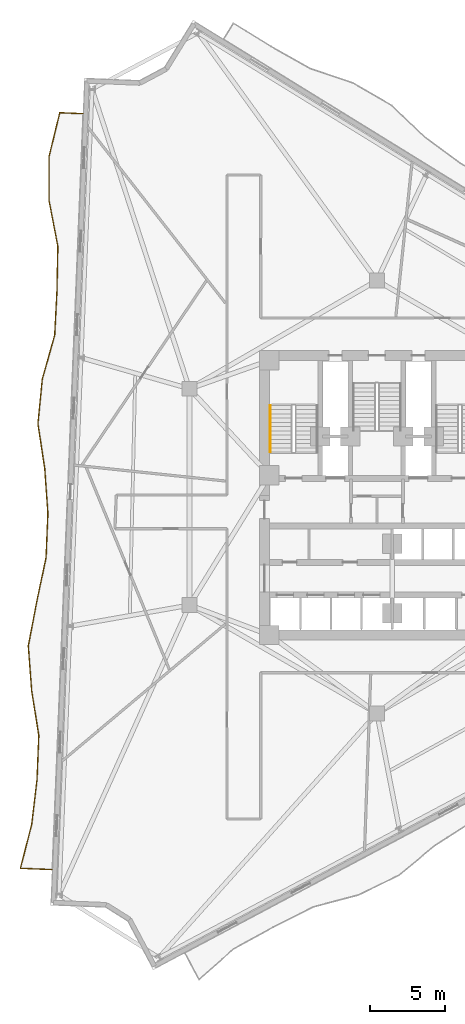
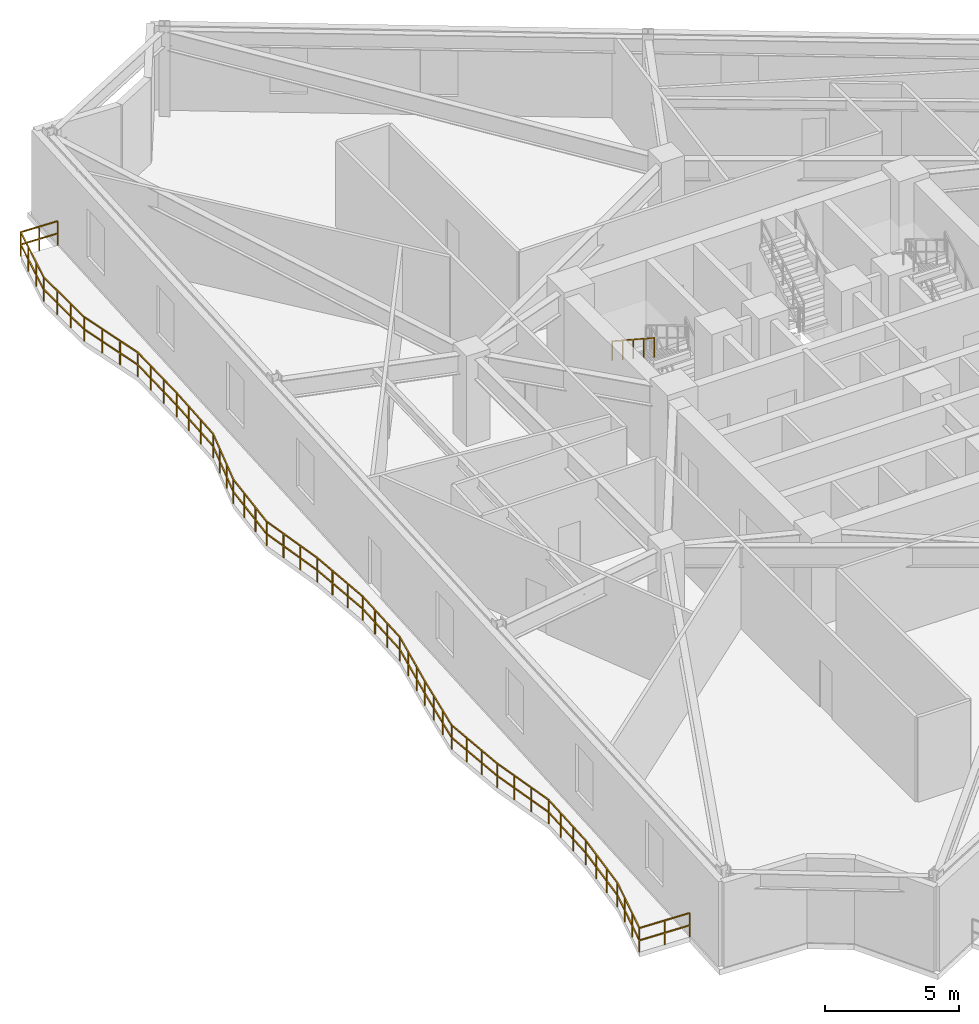
# One storey, part 10 of 12: 2 railings.
"""IFC4 building model written with IfcOpenShell, lengths in metres."""

from ifc_helpers import new_model, si_unit, direction, frame, origin, origin_2d, place, context, subcontext, project, spatial, rectangle, extrude, material, type_object, element, save


model = new_model("IFC4")

# Units and contexts
model_context = context("Model", 3, precision=1e-05, world=origin(), true_north=direction((0.0, 1.0)))
body_context = subcontext(model_context, "Body", "Model", "MODEL_VIEW")
ifc_project = project(units=[si_unit("LENGTHUNIT", "METRE"), si_unit("AREAUNIT", "SQUARE_METRE"), si_unit("VOLUMEUNIT", "CUBIC_METRE"), si_unit("PLANEANGLEUNIT", "RADIAN"), si_unit("MASSUNIT", "GRAM", prefix="KILO")], contexts=[model_context])

# Site, building, storey
site_placement = place(None, origin())
site = spatial("IfcSite", under=ifc_project, at=site_placement, CompositionType="ELEMENT")
building_placement = place(site_placement, origin())
building = spatial("IfcBuilding", under=site, at=building_placement, Name="Apsidion Concourse Tower", CompositionType="ELEMENT")
storey_placement = place(building_placement, frame((0.0, 0.0, 173.699951171875)))
storey = spatial("IfcBuildingStorey", under=building, at=storey_placement, Name="L40", CompositionType="ELEMENT", Elevation=173.699951171875)

# Railings
ifc_material = material(Name="Brushed stainless steel 316", Category="steel")
railing_type_1 = type_object("IfcRailingType", Name="RL-BAL-1120", PredefinedType="BALUSTRADE", material=ifc_material)
railing_1_placement = place(storey_placement, frame((-21.777587890625, -24.97802734375, 0.0)))
element("IfcRailing", 1, at=railing_1_placement, inside=storey, type_object=railing_type_1, Name="L40 Face 1 Rippling Balcony Balustrade", PredefinedType="BALUSTRADE", context=body_context, shape_type="SweptSolid", body=[
    extrude(rectangle(XDim=0.048095703125, YDim=0.048095703125, at=origin_2d()), frame((0.0, 0.0, 1.09619140625), z_axis=(-0.999167286138, 0.040801155761, 0.0), x_axis=(-0.040801155761, -0.999167286138, 0.0)), (0.0, 0.0, 1.0), 2.1181640625),
    extrude(rectangle(XDim=0.048095703125, YDim=0.048095703125, at=origin_2d()), frame((0.0, 0.0, 0.5361328125), z_axis=(-0.999167286138, 0.040801155761, 0.0), x_axis=(-0.040801155761, -0.999167286138, 0.0)), (0.0, 0.0, 1.0), 2.1181640625),
    extrude(rectangle(XDim=0.048095703125, YDim=0.048095703125, at=origin_2d()), frame((-2.116455078125, 0.08642578125, 1.09619140625), z_axis=(0.248839406268, 0.968544758846, 0.0), x_axis=(-0.968544758846, 0.248839406268, 0.0)), (0.0, 0.0, 1.0), 3.05029296875),
    extrude(rectangle(XDim=0.048095703125, YDim=0.048095703125, at=origin_2d()), frame((-2.116455078125, 0.08642578125, 0.5361328125), z_axis=(0.248839406268, 0.968544758846, 0.0), x_axis=(-0.968544758846, 0.248839406268, 0.0)), (0.0, 0.0, 1.0), 3.05029296875),
    extrude(rectangle(XDim=0.048095703125, YDim=0.048095703125, at=origin_2d()), frame((-1.357421875, 3.040771484375, 1.09619140625), z_axis=(0.117664989852, 0.993053347088, 0.0), x_axis=(-0.993053347088, 0.117664989852, 0.0)), (0.0, 0.0, 1.0), 2.991943359375),
    extrude(rectangle(XDim=0.048095703125, YDim=0.048095703125, at=origin_2d()), frame((-1.357421875, 3.040771484375, 0.5361328125), z_axis=(0.117664989852, 0.993053347088, 0.0), x_axis=(-0.993053347088, 0.117664989852, 0.0)), (0.0, 0.0, 1.0), 2.991943359375),
    extrude(rectangle(XDim=0.048095703125, YDim=0.048095703125, at=origin_2d()), frame((-1.00537109375, 6.011962890625, 1.09619140625), z_axis=(0.040840733039, 0.999165669209, 0.0), x_axis=(-0.999165669209, 0.040840733039, 0.0)), (0.0, 0.0, 1.0), 2.98291015625),
    extrude(rectangle(XDim=0.048095703125, YDim=0.048095703125, at=origin_2d()), frame((-1.00537109375, 6.011962890625, 0.5361328125), z_axis=(0.040840733039, 0.999165669209, 0.0), x_axis=(-0.999165669209, 0.040840733039, 0.0)), (0.0, 0.0, 1.0), 2.98291015625),
    extrude(rectangle(XDim=0.048095703125, YDim=0.048095703125, at=origin_2d()), frame((-0.883544921875, 8.992431640625, 1.09619140625), z_axis=(-0.157029674408, 0.987593884831, 0.0), x_axis=(-0.987593884831, -0.157029674408, 0.0)), (0.0, 0.0, 1.0), 3.042724609375),
    extrude(rectangle(XDim=0.048095703125, YDim=0.048095703125, at=origin_2d()), frame((-0.883544921875, 8.992431640625, 0.5361328125), z_axis=(-0.157029674408, 0.987593884831, 0.0), x_axis=(-0.987593884831, -0.157029674408, 0.0)), (0.0, 0.0, 1.0), 3.042724609375),
    extrude(rectangle(XDim=0.048095703125, YDim=0.048095703125, at=origin_2d()), frame((-1.361328125, 11.997314453125, 1.09619140625), z_axis=(-0.075279021939, 0.99716250875, 0.0), x_axis=(-0.99716250875, -0.075279021939, 0.0)), (0.0, 0.0, 1.0), 3.003173828125),
    extrude(rectangle(XDim=0.048095703125, YDim=0.048095703125, at=origin_2d()), frame((-1.361328125, 11.997314453125, 0.5361328125), z_axis=(-0.075279021939, 0.99716250875, 0.0), x_axis=(-0.99716250875, -0.075279021939, 0.0)), (0.0, 0.0, 1.0), 3.003173828125),
    extrude(rectangle(XDim=0.048095703125, YDim=0.048095703125, at=origin_2d()), frame((-1.58740234375, 14.991943359375, 1.09619140625), z_axis=(0.187484082484, 0.982267641132, 0.0), x_axis=(-0.982267641132, 0.187484082484, 0.0)), (0.0, 0.0, 1.0), 3.015869140625),
    extrude(rectangle(XDim=0.048095703125, YDim=0.048095703125, at=origin_2d()), frame((-1.58740234375, 14.991943359375, 0.5361328125), z_axis=(0.187484082484, 0.982267641132, 0.0), x_axis=(-0.982267641132, 0.187484082484, 0.0)), (0.0, 0.0, 1.0), 3.015869140625),
    extrude(rectangle(XDim=0.048095703125, YDim=0.048095703125, at=origin_2d()), frame((-1.02197265625, 17.954345703125, 1.09619140625), z_axis=(0.206673374664, 0.978409993921, 0.0), x_axis=(-0.978409993921, 0.206673374664, 0.0)), (0.0, 0.0, 1.0), 3.025390625),
    extrude(rectangle(XDim=0.048095703125, YDim=0.048095703125, at=origin_2d()), frame((-1.02197265625, 17.954345703125, 0.5361328125), z_axis=(0.206673374664, 0.978409993921, 0.0), x_axis=(-0.978409993921, 0.206673374664, 0.0)), (0.0, 0.0, 1.0), 3.025390625),
    extrude(rectangle(XDim=0.048095703125, YDim=0.048095703125, at=origin_2d()), frame((-0.396728515625, 20.914306640625, 1.09619140625), z_axis=(0.040840733039, 0.999165669209, 0.0), x_axis=(-0.999165669209, 0.040840733039, 0.0)), (0.0, 0.0, 1.0), 2.98291015625),
    extrude(rectangle(XDim=0.048095703125, YDim=0.048095703125, at=origin_2d()), frame((-0.396728515625, 20.914306640625, 0.5361328125), z_axis=(0.040840733039, 0.999165669209, 0.0), x_axis=(-0.999165669209, 0.040840733039, 0.0)), (0.0, 0.0, 1.0), 2.98291015625),
    extrude(rectangle(XDim=0.048095703125, YDim=0.048095703125, at=origin_2d()), frame((-0.27490234375, 23.894775390625, 1.09619140625), z_axis=(-0.070923361172, 0.997481767673, 0.0), x_axis=(-0.997481767673, -0.070923361172, 0.0)), (0.0, 0.0, 1.0), 3.001708984375),
    extrude(rectangle(XDim=0.048095703125, YDim=0.048095703125, at=origin_2d()), frame((-0.27490234375, 23.894775390625, 0.5361328125), z_axis=(-0.070923361172, 0.997481767673, 0.0), x_axis=(-0.997481767673, -0.070923361172, 0.0)), (0.0, 0.0, 1.0), 3.001708984375),
    extrude(rectangle(XDim=0.048095703125, YDim=0.048095703125, at=origin_2d()), frame((-0.48779296875, 26.888916015625, 1.09619140625), z_axis=(-0.149538777616, 0.988755861671, 0.0), x_axis=(-0.988755861671, -0.149538777616, 0.0)), (0.0, 0.0, 1.0), 3.038330078125),
    extrude(rectangle(XDim=0.048095703125, YDim=0.048095703125, at=origin_2d()), frame((-0.48779296875, 26.888916015625, 0.5361328125), z_axis=(-0.149538777616, 0.988755861671, 0.0), x_axis=(-0.988755861671, -0.149538777616, 0.0)), (0.0, 0.0, 1.0), 3.038330078125),
    extrude(rectangle(XDim=0.048095703125, YDim=0.048095703125, at=origin_2d()), frame((-0.942138671875, 29.89306640625, 1.09619140625), z_axis=(0.097812644821, 0.995204846508, 0.0), x_axis=(-0.995204846508, 0.097812644821, 0.0)), (0.0, 0.0, 1.0), 2.98779296875),
    extrude(rectangle(XDim=0.048095703125, YDim=0.048095703125, at=origin_2d()), frame((-0.942138671875, 29.89306640625, 0.5361328125), z_axis=(0.097812644821, 0.995204846508, 0.0), x_axis=(-0.995204846508, 0.097812644821, 0.0)), (0.0, 0.0, 1.0), 2.98779296875),
    extrude(rectangle(XDim=0.048095703125, YDim=0.048095703125, at=origin_2d()), frame((-0.64990234375, 32.866455078125, 1.09619140625), z_axis=(0.27087008579, 0.962615913345, 0.0), x_axis=(-0.962615913345, 0.27087008579, 0.0)), (0.0, 0.0, 1.0), 3.06640625),
    extrude(rectangle(XDim=0.048095703125, YDim=0.048095703125, at=origin_2d()), frame((-0.64990234375, 32.866455078125, 0.5361328125), z_axis=(0.27087008579, 0.962615913345, 0.0), x_axis=(-0.962615913345, 0.27087008579, 0.0)), (0.0, 0.0, 1.0), 3.06640625),
    extrude(rectangle(XDim=0.048095703125, YDim=0.048095703125, at=origin_2d()), frame((0.1806640625, 35.818115234375, 1.09619140625), z_axis=(0.051313119647, 0.998682614123, 0.0), x_axis=(-0.998682614123, 0.051313119647, 0.0)), (0.0, 0.0, 1.0), 2.983154296875),
    extrude(rectangle(XDim=0.048095703125, YDim=0.048095703125, at=origin_2d()), frame((0.1806640625, 35.818115234375, 0.5361328125), z_axis=(0.051313119647, 0.998682614123, 0.0), x_axis=(-0.998682614123, 0.051313119647, 0.0)), (0.0, 0.0, 1.0), 2.983154296875),
    extrude(rectangle(XDim=0.048095703125, YDim=0.048095703125, at=origin_2d()), frame((0.333740234375, 38.79736328125, 1.09619140625), z_axis=(0.019557561556, 0.999808732601, 0.0), x_axis=(-0.999808732601, 0.019557561556, 0.0)), (0.0, 0.0, 1.0), 2.9833984375),
    extrude(rectangle(XDim=0.048095703125, YDim=0.048095703125, at=origin_2d()), frame((0.333740234375, 38.79736328125, 0.5361328125), z_axis=(0.019557561556, 0.999808732601, 0.0), x_axis=(-0.999808732601, 0.019557561556, 0.0)), (0.0, 0.0, 1.0), 2.9833984375),
    extrude(rectangle(XDim=0.048095703125, YDim=0.048095703125, at=origin_2d()), frame((0.39208984375, 41.7802734375, 1.09619140625), z_axis=(-0.189278759028, 0.981923393845, 0.0), x_axis=(-0.981923393845, -0.189278759028, 0.0)), (0.0, 0.0, 1.0), 3.064697265625),
    extrude(rectangle(XDim=0.048095703125, YDim=0.048095703125, at=origin_2d()), frame((0.39208984375, 41.7802734375, 0.5361328125), z_axis=(-0.189278759028, 0.981923393845, 0.0), x_axis=(-0.981923393845, -0.189278759028, 0.0)), (0.0, 0.0, 1.0), 3.064697265625),
    extrude(rectangle(XDim=0.048095703125, YDim=0.048095703125, at=origin_2d()), frame((-0.18798828125, 44.78955078125, 1.09619140625), z_axis=(-0.003761216241, 0.999992926601, 0.0), x_axis=(-0.999992926601, -0.003761216241, 0.0)), (0.0, 0.0, 1.0), 2.98583984375),
    extrude(rectangle(XDim=0.048095703125, YDim=0.048095703125, at=origin_2d()), frame((-0.18798828125, 44.78955078125, 0.5361328125), z_axis=(-0.003761216241, 0.999992926601, 0.0), x_axis=(-0.999992926601, -0.003761216241, 0.0)), (0.0, 0.0, 1.0), 2.98583984375),
    extrude(rectangle(XDim=0.048095703125, YDim=0.048095703125, at=origin_2d()), frame((-0.19921875, 47.775390625, 1.09619140625), z_axis=(0.236716030499, 0.971578880434, 0.0), x_axis=(-0.971578880434, 0.236716030499, 0.0)), (0.0, 0.0, 1.0), 3.04248046875),
    extrude(rectangle(XDim=0.048095703125, YDim=0.048095703125, at=origin_2d()), frame((-0.19921875, 47.775390625, 0.5361328125), z_axis=(0.236716030499, 0.971578880434, 0.0), x_axis=(-0.971578880434, 0.236716030499, 0.0)), (0.0, 0.0, 1.0), 3.04248046875),
    extrude(rectangle(XDim=0.048095703125, YDim=0.048095703125, at=origin_2d()), frame((0.52099609375, 50.7314453125, 1.09619140625), z_axis=(0.999167397991, -0.040798416535, 0.0), x_axis=(0.040798416535, 0.999167397991, 0.0)), (0.0, 0.0, 1.0), 1.5498046875),
    extrude(rectangle(XDim=0.048095703125, YDim=0.048095703125, at=origin_2d()), frame((0.52099609375, 50.7314453125, 0.5361328125), z_axis=(0.999167397991, -0.040798416535, 0.0), x_axis=(0.040798416535, 0.999167397991, 0.0)), (0.0, 0.0, 1.0), 1.5498046875),
    extrude(rectangle(XDim=0.0419921875, YDim=0.0419921875, at=origin_2d()), origin(), (0.0, 0.0, 1.0), 1.072021484375),
    extrude(rectangle(XDim=0.0419921875, YDim=0.0419921875, at=origin_2d()), frame((-1.05810546875, 0.043212890625, 0.0)), (0.0, 0.0, 1.0), 1.072021484375),
    extrude(rectangle(XDim=0.0419921875, YDim=0.0419921875, at=origin_2d()), frame((-2.116455078125, 0.08642578125, 0.0)), (0.0, 0.0, 1.0), 1.072021484375),
    extrude(rectangle(XDim=0.0419921875, YDim=0.0419921875, at=origin_2d()), frame((-1.863525390625, 1.0712890625, 0.0)), (0.0, 0.0, 1.0), 1.072021484375),
    extrude(rectangle(XDim=0.0419921875, YDim=0.0419921875, at=origin_2d()), frame((-1.6103515625, 2.055908203125, 0.0)), (0.0, 0.0, 1.0), 1.072021484375),
    extrude(rectangle(XDim=0.0419921875, YDim=0.0419921875, at=origin_2d()), frame((-1.357421875, 3.040771484375, 0.0)), (0.0, 0.0, 1.0), 1.072021484375),
    extrude(rectangle(XDim=0.0419921875, YDim=0.0419921875, at=origin_2d()), frame((-1.239990234375, 4.03125, 0.0)), (0.0, 0.0, 1.0), 1.072021484375),
    extrude(rectangle(XDim=0.0419921875, YDim=0.0419921875, at=origin_2d()), frame((-1.122802734375, 5.021484375, 0.0)), (0.0, 0.0, 1.0), 1.072021484375),
    extrude(rectangle(XDim=0.0419921875, YDim=0.0419921875, at=origin_2d()), frame((-1.00537109375, 6.011962890625, 0.0)), (0.0, 0.0, 1.0), 1.072021484375),
    extrude(rectangle(XDim=0.0419921875, YDim=0.0419921875, at=origin_2d()), frame((-0.96484375, 7.00537109375, 0.0)), (0.0, 0.0, 1.0), 1.072021484375),
    extrude(rectangle(XDim=0.0419921875, YDim=0.0419921875, at=origin_2d()), frame((-0.924072265625, 7.9990234375, 0.0)), (0.0, 0.0, 1.0), 1.072021484375),
    extrude(rectangle(XDim=0.0419921875, YDim=0.0419921875, at=origin_2d()), frame((-0.883544921875, 8.992431640625, 0.0)), (0.0, 0.0, 1.0), 1.072021484375),
    extrude(rectangle(XDim=0.0419921875, YDim=0.0419921875, at=origin_2d()), frame((-1.042724609375, 9.994140625, 0.0)), (0.0, 0.0, 1.0), 1.072021484375),
    extrude(rectangle(XDim=0.0419921875, YDim=0.0419921875, at=origin_2d()), frame((-1.2021484375, 10.99560546875, 0.0)), (0.0, 0.0, 1.0), 1.072021484375),
    extrude(rectangle(XDim=0.0419921875, YDim=0.0419921875, at=origin_2d()), frame((-1.361328125, 11.997314453125, 0.0)), (0.0, 0.0, 1.0), 1.072021484375),
    extrude(rectangle(XDim=0.0419921875, YDim=0.0419921875, at=origin_2d()), frame((-1.436767578125, 12.99560546875, 0.0)), (0.0, 0.0, 1.0), 1.072021484375),
    extrude(rectangle(XDim=0.0419921875, YDim=0.0419921875, at=origin_2d()), frame((-1.511962890625, 13.99365234375, 0.0)), (0.0, 0.0, 1.0), 1.072021484375),
    extrude(rectangle(XDim=0.0419921875, YDim=0.0419921875, at=origin_2d()), frame((-1.58740234375, 14.991943359375, 0.0)), (0.0, 0.0, 1.0), 1.072021484375),
    extrude(rectangle(XDim=0.0419921875, YDim=0.0419921875, at=origin_2d()), frame((-1.39892578125, 15.9794921875, 0.0)), (0.0, 0.0, 1.0), 1.072021484375),
    extrude(rectangle(XDim=0.0419921875, YDim=0.0419921875, at=origin_2d()), frame((-1.21044921875, 16.966796875, 0.0)), (0.0, 0.0, 1.0), 1.072021484375),
    extrude(rectangle(XDim=0.0419921875, YDim=0.0419921875, at=origin_2d()), frame((-1.02197265625, 17.954345703125, 0.0)), (0.0, 0.0, 1.0), 1.072021484375),
    extrude(rectangle(XDim=0.0419921875, YDim=0.0419921875, at=origin_2d()), frame((-0.8134765625, 18.94091796875, 0.0)), (0.0, 0.0, 1.0), 1.072021484375),
    extrude(rectangle(XDim=0.0419921875, YDim=0.0419921875, at=origin_2d()), frame((-0.605224609375, 19.927734375, 0.0)), (0.0, 0.0, 1.0), 1.072021484375),
    extrude(rectangle(XDim=0.0419921875, YDim=0.0419921875, at=origin_2d()), frame((-0.396728515625, 20.914306640625, 0.0)), (0.0, 0.0, 1.0), 1.072021484375),
    extrude(rectangle(XDim=0.0419921875, YDim=0.0419921875, at=origin_2d()), frame((-0.356201171875, 21.90771484375, 0.0)), (0.0, 0.0, 1.0), 1.072021484375),
    extrude(rectangle(XDim=0.0419921875, YDim=0.0419921875, at=origin_2d()), frame((-0.3154296875, 22.9013671875, 0.0)), (0.0, 0.0, 1.0), 1.072021484375),
    extrude(rectangle(XDim=0.0419921875, YDim=0.0419921875, at=origin_2d()), frame((-0.27490234375, 23.894775390625, 0.0)), (0.0, 0.0, 1.0), 1.072021484375),
    extrude(rectangle(XDim=0.0419921875, YDim=0.0419921875, at=origin_2d()), frame((-0.345947265625, 24.892822265625, 0.0)), (0.0, 0.0, 1.0), 1.072021484375),
    extrude(rectangle(XDim=0.0419921875, YDim=0.0419921875, at=origin_2d()), frame((-0.416748046875, 25.890869140625, 0.0)), (0.0, 0.0, 1.0), 1.072021484375),
    extrude(rectangle(XDim=0.0419921875, YDim=0.0419921875, at=origin_2d()), frame((-0.48779296875, 26.888916015625, 0.0)), (0.0, 0.0, 1.0), 1.072021484375),
    extrude(rectangle(XDim=0.0419921875, YDim=0.0419921875, at=origin_2d()), frame((-0.63916015625, 27.890380859375, 0.0)), (0.0, 0.0, 1.0), 1.072021484375),
    extrude(rectangle(XDim=0.0419921875, YDim=0.0419921875, at=origin_2d()), frame((-0.790771484375, 28.8916015625, 0.0)), (0.0, 0.0, 1.0), 1.072021484375),
    extrude(rectangle(XDim=0.0419921875, YDim=0.0419921875, at=origin_2d()), frame((-0.942138671875, 29.89306640625, 0.0)), (0.0, 0.0, 1.0), 1.072021484375),
    extrude(rectangle(XDim=0.0419921875, YDim=0.0419921875, at=origin_2d()), frame((-0.8447265625, 30.88427734375, 0.0)), (0.0, 0.0, 1.0), 1.072021484375),
    extrude(rectangle(XDim=0.0419921875, YDim=0.0419921875, at=origin_2d()), frame((-0.747314453125, 31.875244140625, 0.0)), (0.0, 0.0, 1.0), 1.072021484375),
    extrude(rectangle(XDim=0.0419921875, YDim=0.0419921875, at=origin_2d()), frame((-0.64990234375, 32.866455078125, 0.0)), (0.0, 0.0, 1.0), 1.072021484375),
    extrude(rectangle(XDim=0.0419921875, YDim=0.0419921875, at=origin_2d()), frame((-0.373046875, 33.850341796875, 0.0)), (0.0, 0.0, 1.0), 1.072021484375),
    extrude(rectangle(XDim=0.0419921875, YDim=0.0419921875, at=origin_2d()), frame((-0.09619140625, 34.834228515625, 0.0)), (0.0, 0.0, 1.0), 1.072021484375),
    extrude(rectangle(XDim=0.0419921875, YDim=0.0419921875, at=origin_2d()), frame((0.1806640625, 35.818115234375, 0.0)), (0.0, 0.0, 1.0), 1.072021484375),
    extrude(rectangle(XDim=0.0419921875, YDim=0.0419921875, at=origin_2d()), frame((0.231689453125, 36.811279296875, 0.0)), (0.0, 0.0, 1.0), 1.072021484375),
    extrude(rectangle(XDim=0.0419921875, YDim=0.0419921875, at=origin_2d()), frame((0.28271484375, 37.80419921875, 0.0)), (0.0, 0.0, 1.0), 1.072021484375),
    extrude(rectangle(XDim=0.0419921875, YDim=0.0419921875, at=origin_2d()), frame((0.333740234375, 38.79736328125, 0.0)), (0.0, 0.0, 1.0), 1.072021484375),
    extrude(rectangle(XDim=0.0419921875, YDim=0.0419921875, at=origin_2d()), frame((0.353271484375, 39.791748046875, 0.0)), (0.0, 0.0, 1.0), 1.072021484375),
    extrude(rectangle(XDim=0.0419921875, YDim=0.0419921875, at=origin_2d()), frame((0.37255859375, 40.785888671875, 0.0)), (0.0, 0.0, 1.0), 1.072021484375),
    extrude(rectangle(XDim=0.0419921875, YDim=0.0419921875, at=origin_2d()), frame((0.39208984375, 41.7802734375, 0.0)), (0.0, 0.0, 1.0), 1.072021484375),
    extrude(rectangle(XDim=0.0419921875, YDim=0.0419921875, at=origin_2d()), frame((0.19873046875, 42.783447265625, 0.0)), (0.0, 0.0, 1.0), 1.072021484375),
    extrude(rectangle(XDim=0.0419921875, YDim=0.0419921875, at=origin_2d()), frame((0.00537109375, 43.786376953125, 0.0)), (0.0, 0.0, 1.0), 1.072021484375),
    extrude(rectangle(XDim=0.0419921875, YDim=0.0419921875, at=origin_2d()), frame((-0.18798828125, 44.78955078125, 0.0)), (0.0, 0.0, 1.0), 1.072021484375),
    extrude(rectangle(XDim=0.0419921875, YDim=0.0419921875, at=origin_2d()), frame((-0.191650390625, 45.784912109375, 0.0)), (0.0, 0.0, 1.0), 1.072021484375),
    extrude(rectangle(XDim=0.0419921875, YDim=0.0419921875, at=origin_2d()), frame((-0.195556640625, 46.780029296875, 0.0)), (0.0, 0.0, 1.0), 1.072021484375),
    extrude(rectangle(XDim=0.0419921875, YDim=0.0419921875, at=origin_2d()), frame((-0.19921875, 47.775390625, 0.0)), (0.0, 0.0, 1.0), 1.072021484375),
    extrude(rectangle(XDim=0.0419921875, YDim=0.0419921875, at=origin_2d()), frame((0.040771484375, 48.7607421875, 0.0)), (0.0, 0.0, 1.0), 1.072021484375),
    extrude(rectangle(XDim=0.0419921875, YDim=0.0419921875, at=origin_2d()), frame((0.281005859375, 49.74609375, 0.0)), (0.0, 0.0, 1.0), 1.072021484375),
    extrude(rectangle(XDim=0.0419921875, YDim=0.0419921875, at=origin_2d()), frame((0.52099609375, 50.7314453125, 0.0)), (0.0, 0.0, 1.0), 1.072021484375),
    extrude(rectangle(XDim=0.0419921875, YDim=0.0419921875, at=origin_2d()), frame((1.29541015625, 50.69970703125, 0.0)), (0.0, 0.0, 1.0), 1.072021484375),
    extrude(rectangle(XDim=0.0419921875, YDim=0.0419921875, at=origin_2d()), frame((2.069580078125, 50.668212890625, 0.0)), (0.0, 0.0, 1.0), 1.072021484375),
])
railing_type_2 = type_object("IfcRailingType", Name="RL-HAND-900", PredefinedType="HANDRAIL", material=ifc_material)
railing_2_placement = place(storey_placement, frame((-7.14990234375, 6.135009765625, 2.220947265625)))
element("IfcRailing", 2, at=railing_2_placement, inside=storey, type_object=railing_type_2, Name="L40 ST1 stair handrail 2", PredefinedType="HANDRAIL", context=body_context, shape_type="SweptSolid", body=[
    extrude(rectangle(XDim=0.048095703125, YDim=0.048095703125, at=origin_2d()), frame((0.0, 0.0, 0.8759765625), z_axis=(0.0, -0.836940907821, 0.547293263996), x_axis=(1.0, 0.0, 0.0)), (0.0, 0.0, 1.0), 3.745849609375),
    extrude(rectangle(XDim=0.0419921875, YDim=0.0419921875, at=origin_2d()), origin(), (0.0, 0.0, 1.0), 0.851806640625),
    extrude(rectangle(XDim=0.0419921875, YDim=0.0419921875, at=origin_2d()), frame((0.0, -0.78369140625, 0.512451171875)), (0.0, 0.0, 1.0), 0.851806640625),
    extrude(rectangle(XDim=0.0419921875, YDim=0.0419921875, at=origin_2d()), frame((0.0, -1.5673828125, 1.02490234375)), (0.0, 0.0, 1.0), 0.851806640625),
    extrude(rectangle(XDim=0.0419921875, YDim=0.0419921875, at=origin_2d()), frame((0.0, -2.351318359375, 1.53759765625)), (0.0, 0.0, 1.0), 0.851806640625),
    extrude(rectangle(XDim=0.0419921875, YDim=0.0419921875, at=origin_2d()), frame((0.0, -3.135009765625, 2.050048828125)), (0.0, 0.0, 1.0), 0.851806640625),
])

save(model, "model.ifc")
